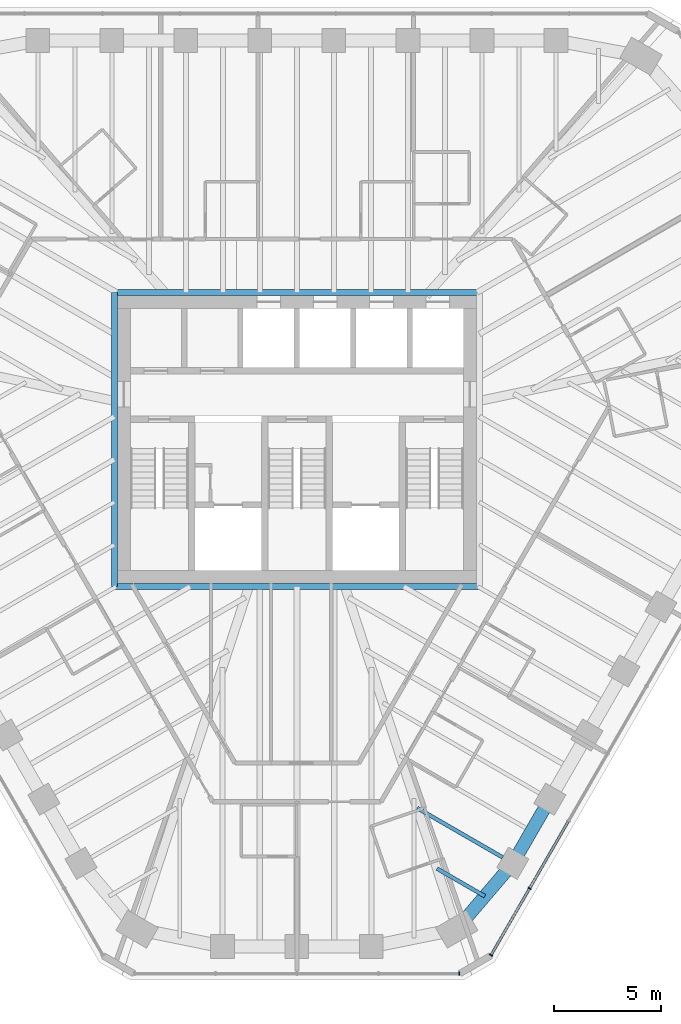
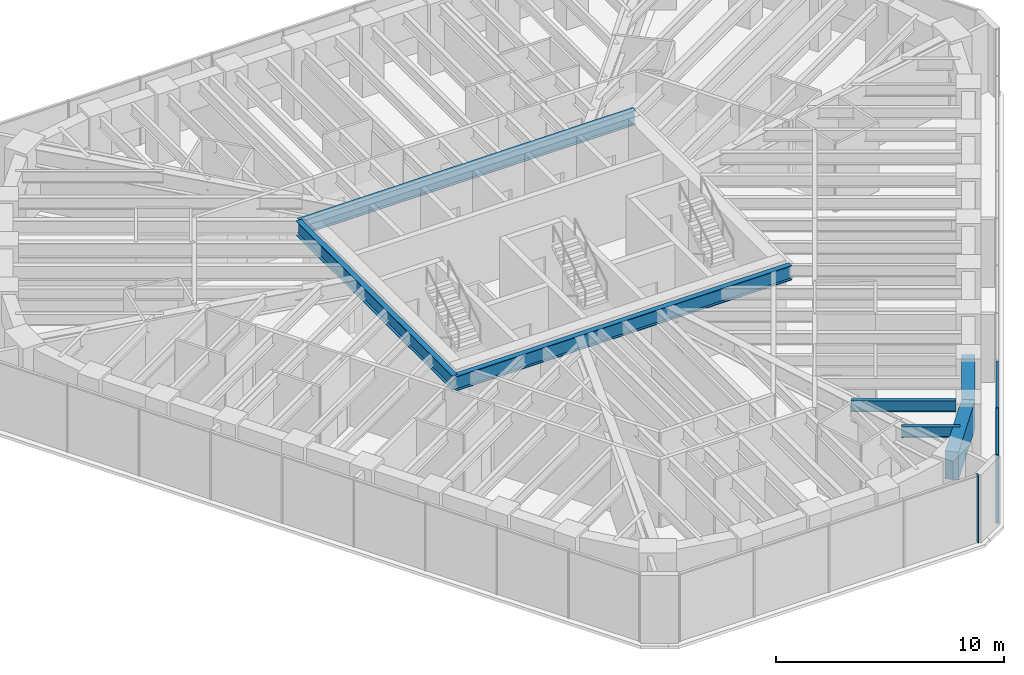
# One storey, part 4 of 14: 7 beams, 5 members, 2 elements without a shape of their own.
"""IFC4 building model written with IfcOpenShell, lengths in metres."""

import ifcopenshell
import ifcopenshell.guid

model = None  # the IFC model being written
_history = None  # IfcOwnerHistory: only IFC2X3 demands one
_inside = {}  # id of a spatial element -> (the spatial element, [elements in it])
_under = {}  # id of a project, library or spatial element -> (it, [spatial elements below it])
_declared = {}  # id of a project -> (the project, [libraries it declares])
_typed = {}  # id of a type object -> (the type object, [elements of that type])
_made_of = {}  # id of a material, layer set ... -> (it, [elements and type objects made of it])


def new_model(schema):
    """Start an empty IFC model of exactly this schema.

    Asked for "IFC4X3", IfcOpenShell would pick the latest addendum, in which some entities
    have other attributes; the version numbers below select the first issue.
    IFC2X3 requires an IfcOwnerHistory on every rooted entity: one is made here for all.
    """
    global model, _history
    if schema == "IFC4X3":
        model = ifcopenshell.file(schema_version=(4, 3, 0, 0))
    else:
        model = ifcopenshell.file(schema=schema)
    _inside.clear()
    _under.clear()
    _declared.clear()
    _typed.clear()
    _made_of.clear()
    _history = None
    if model.schema == "IFC2X3":
        org = make("IfcOrganization", Name="unknown")
        user = make(
            "IfcPersonAndOrganization",
            ThePerson=make("IfcPerson", FamilyName="unknown"),
            TheOrganization=org,
        )
        app = make(
            "IfcApplication",
            ApplicationDeveloper=org,
            Version="unknown",
            ApplicationFullName="unknown",
            ApplicationIdentifier="unknown",
        )
        _history = make(
            "IfcOwnerHistory",
            OwningUser=user,
            OwningApplication=app,
            ChangeAction="ADDED",
            CreationDate=0,
        )
    return model


def make(cls, **values):
    """One entity of the class cls with the attributes given. An attribute that is None is left unset."""
    return model.create_entity(
        cls, **{name: value for name, value in values.items() if value is not None}
    )


def rooted(cls, **values):
    """An entity with a GlobalId (a new one), such as an element, a storey or a relation."""
    return make(cls, GlobalId=ifcopenshell.guid.new(), OwnerHistory=_history, **values)


def si_unit(unit_type, name, prefix=None):
    """IfcSIUnit, for example si_unit("LENGTHUNIT", "METRE", prefix="MILLI")."""
    return make("IfcSIUnit", UnitType=unit_type, Prefix=prefix, Name=name)


def assignment(units):
    """IfcUnitAssignment: the units of a project."""
    return None if units is None else make("IfcUnitAssignment", Units=units)


def point(xyz):
    """IfcCartesianPoint."""
    return None if xyz is None else make("IfcCartesianPoint", Coordinates=xyz)


def direction(xyz):
    """IfcDirection."""
    return None if xyz is None else make("IfcDirection", DirectionRatios=xyz)


def frame(location, z_axis=None, x_axis=None):
    """IfcAxis2Placement3D, a coordinate frame: its origin and axes. An axis left out is left unset."""
    return make(
        "IfcAxis2Placement3D",
        Location=point(location),
        Axis=direction(z_axis),
        RefDirection=direction(x_axis),
    )


def frame_2d(location, x_axis=None):
    """IfcAxis2Placement2D, a coordinate frame in the plane: its origin and x axis."""
    return make(
        "IfcAxis2Placement2D", Location=point(location), RefDirection=direction(x_axis)
    )


def origin():
    """The frame at (0, 0, 0) with its axes left unset."""
    return frame((0.0, 0.0, 0.0))


def origin_2d():
    """The frame at (0, 0) in the plane with its x axis left unset."""
    return frame_2d((0.0, 0.0))


def place(relative_to, where):
    """IfcLocalPlacement: puts the frame where relative to a parent placement (None: the world)."""
    return make(
        "IfcLocalPlacement", PlacementRelTo=relative_to, RelativePlacement=where
    )


def context(
    kind, dimensions, precision=None, world=None, true_north=None, identifier=None
):
    """IfcGeometricRepresentationContext, for example the 3D "Model" context."""
    return make(
        "IfcGeometricRepresentationContext",
        ContextIdentifier=identifier,
        ContextType=kind,
        CoordinateSpaceDimension=dimensions,
        Precision=precision,
        WorldCoordinateSystem=world,
        TrueNorth=true_north,
    )


def subcontext(parent, identifier, kind, view, scale=None):
    """IfcGeometricRepresentationSubContext, for example "Body" below "Model"."""
    return make(
        "IfcGeometricRepresentationSubContext",
        ContextIdentifier=identifier,
        ContextType=kind,
        ParentContext=parent,
        TargetScale=scale,
        TargetView=view,
    )


def project(units=None, contexts=None):
    """IfcProject with its units and contexts."""
    return rooted(
        "IfcProject",
        Name="project",
        RepresentationContexts=contexts,
        UnitsInContext=assignment(units),
    )


def spatial(cls, under=None, at=None, **own):
    """A site, building, storey or space (cls), placed at a placement, below another one or the project."""
    s = rooted(cls, ObjectPlacement=at, **own)
    if under is not None:
        _under.setdefault(under.id(), (under, []))[1].append(s)
    return s


def profile(cls, at=None, kind="AREA", **sizes):
    """A parametric profile (cls). Its sizes go by their IFC names, for example OverallWidth=200.0."""
    return make(cls, ProfileType=kind, Position=at, **sizes)


def rectangle(**sizes):
    """IfcRectangleProfileDef."""
    return profile("IfcRectangleProfileDef", **sizes)


def i_section(**sizes):
    """IfcIShapeProfileDef."""
    return profile("IfcIShapeProfileDef", **sizes)


def extrude(swept, where, along, depth):
    """IfcExtrudedAreaSolid: the profile swept, set in the frame where, extruded along a direction by depth."""
    return make(
        "IfcExtrudedAreaSolid",
        SweptArea=swept,
        Position=where,
        ExtrudedDirection=direction(along),
        Depth=depth,
    )


def shape(context_of_items, identifier, shape_type, items):
    """IfcShapeRepresentation: the items that make up one representation, for example the "Body"."""
    return make(
        "IfcShapeRepresentation",
        ContextOfItems=context_of_items,
        RepresentationIdentifier=identifier,
        RepresentationType=shape_type,
        Items=items,
    )


def material(Name=None, Category=None):
    """IfcMaterial."""
    return make("IfcMaterial", Name=Name, Category=Category)


def material_profile(
    of_material, cross_section, Name=None, Category=None, Priority=None
):
    """IfcMaterialProfile: a cross section and its material."""
    return make(
        "IfcMaterialProfile",
        Name=Name,
        Material=of_material,
        Profile=cross_section,
        Priority=Priority,
        Category=Category,
    )


def profile_set(profiles, Name=None, composite=None):
    """IfcMaterialProfileSet."""
    return make(
        "IfcMaterialProfileSet",
        Name=Name,
        MaterialProfiles=profiles,
        CompositeProfile=composite,
    )


def made_of(thing, what):
    """Note that an element or type object is made of a material, layer set ...; save() writes the relation."""
    if what is not None:
        _made_of.setdefault(what.id(), (what, []))[1].append(thing)
    return thing


def type_object(cls, material=None, **own):
    """A type object (cls), such as IfcWallType, which elements share."""
    return made_of(rooted(cls, **own), material)


def element(
    cls,
    number,
    at=None,
    inside=None,
    cuts=None,
    type_object=None,
    material=None,
    context=None,
    identifier="Body",
    shape_type=None,
    held_by="IfcProductDefinitionShape",
    body=None,
    shapes=None,
    **own,
):
    """One element of the class cls, such as IfcWall. Its Tag is "e" and its number.

    at: its placement. inside: the storey or other place that contains it. cuts: it is an
    opening in that element (IfcRelVoidsElement). A single representation is given by context,
    identifier, shape_type and body (its items); several are given by shapes. held_by: the class
    of the entity that holds the representations. save() writes the other relations.
    """
    e = rooted(cls, Tag="e%d" % number, ObjectPlacement=at, **own)
    if body is not None:
        shapes = [shape(context, identifier, shape_type, body)]
    if shapes is not None:
        e.Representation = make(held_by, Representations=shapes)
    if inside is not None:
        _inside.setdefault(inside.id(), (inside, []))[1].append(e)
    if cuts is not None:
        rooted(
            "IfcRelVoidsElement", RelatingBuildingElement=cuts, RelatedOpeningElement=e
        )
    if type_object is not None:
        _typed.setdefault(type_object.id(), (type_object, []))[1].append(e)
    return made_of(e, material)


def aggregate(whole, parts):
    """IfcRelAggregates: a whole, such as a stair, and the parts it consists of."""
    return rooted("IfcRelAggregates", RelatingObject=whole, RelatedObjects=parts)


def save(model, path):
    """Write the relations noted so far, then the file.

    IfcRelAggregates (storeys below a building ...), IfcRelContainedInSpatialStructure (elements
    in a storey), IfcRelDefinesByType, IfcRelAssociatesMaterial and IfcRelDeclares: one each for
    every whole, place, type object, material and project.
    """
    for whole, parts in _under.values():
        aggregate(whole, parts)
    for where, things in _inside.values():
        rooted(
            "IfcRelContainedInSpatialStructure",
            RelatedElements=things,
            RelatingStructure=where,
        )
    for kind, things in _typed.values():
        rooted("IfcRelDefinesByType", RelatedObjects=things, RelatingType=kind)
    for what, things in _made_of.values():
        rooted("IfcRelAssociatesMaterial", RelatedObjects=things, RelatingMaterial=what)
    for by, libraries in _declared.values():
        rooted("IfcRelDeclares", RelatingContext=by, RelatedDefinitions=libraries)
    model.write(path)


model = new_model("IFC4")

# Units and contexts
model_context = context("Model", 3, precision=1e-05, world=origin(), true_north=direction((0.0, 1.0)))
body_context = subcontext(model_context, "Body", "Model", "MODEL_VIEW")
ifc_project = project(units=[si_unit("LENGTHUNIT", "METRE"), si_unit("AREAUNIT", "SQUARE_METRE"), si_unit("VOLUMEUNIT", "CUBIC_METRE"), si_unit("PLANEANGLEUNIT", "RADIAN"), si_unit("MASSUNIT", "GRAM", prefix="KILO")], contexts=[model_context])

# Site, building, storey
site_placement = place(None, origin())
site = spatial("IfcSite", under=ifc_project, at=site_placement, CompositionType="ELEMENT")
building_placement = place(site_placement, origin())
building = spatial("IfcBuilding", under=site, at=building_placement, Name="Sandreach Pilgrim Tower", CompositionType="ELEMENT")
storey_placement = place(building_placement, frame((0.0, 0.0, 283.60009765625)))
storey = spatial("IfcBuildingStorey", under=building, at=storey_placement, Name="L71", CompositionType="ELEMENT", Elevation=283.60009765625)

# Curtain wall, members
ifc_material_1 = material(Name="Aluminium framed curtain wall", Category="aluminium")
curtain_wall_type = type_object("IfcCurtainWallType", Name="Suite tower curtain wall", PredefinedType="NOTDEFINED", material=ifc_material_1)
curtain_wall_1_placement = place(storey_placement, origin())
curtain_wall_1 = element("IfcCurtainWall", 1, at=curtain_wall_1_placement, inside=storey, type_object=curtain_wall_type, Name="CW-4 L71 SE", PredefinedType="NOTDEFINED")
ifc_material_2 = material(Name="Aluminium extrusion", Category="aluminium")
ifc_material_profile_1 = material_profile(ifc_material_2, rectangle(XDim=0.06005859375, YDim=0.159912109375, at=origin_2d()), Name="CW-4M 60X160")
ifc_profile_set_1 = profile_set([ifc_material_profile_1], Name="Aluminium extrusion")
member_type_1 = type_object("IfcMemberType", Name="CW-4 mullion", PredefinedType="MULLION", material=ifc_profile_set_1)
member_1_placement = place(storey_placement, frame((10.83203125, -20.891357421875, 0.0), z_axis=(0.0, 0.0, 1.0), x_axis=(-0.5, -0.866025403784, 0.0)))
member_1 = element("IfcMember", 2, at=member_1_placement, type_object=member_type_1, Name="CW-4 mullion 9", PredefinedType="MULLION", context=body_context, shape_type="SweptSolid", body=[
    extrude(rectangle(XDim=0.06005859375, YDim=0.159912109375, at=origin_2d()), origin(), (0.0, 0.0, 1.0), 3.639892578125),
])
member_2_placement = place(storey_placement, frame((9.035888671875, -24.001953125, 0.0), z_axis=(0.0, 0.0, 1.0), x_axis=(-0.5, -0.866025403784, 0.0)))
member_2 = element("IfcMember", 3, at=member_2_placement, type_object=member_type_1, Name="CW-4 mullion 10", PredefinedType="MULLION", context=body_context, shape_type="SweptSolid", body=[
    extrude(rectangle(XDim=0.06005859375, YDim=0.159912109375, at=origin_2d()), origin(), (0.0, 0.0, 1.0), 3.639892578125),
])

# Curtain wall, member
curtain_wall_2_placement = place(storey_placement, origin())
curtain_wall_2 = element("IfcCurtainWall", 4, at=curtain_wall_2_placement, inside=storey, type_object=curtain_wall_type, Name="CW-4 L71 S", PredefinedType="NOTDEFINED")
member_3_placement = place(storey_placement, frame((7.553466796875, -24.858154296875, 0.0), z_axis=(0.0, 0.0, 1.0), x_axis=(-1.0, 0.0, 0.0)))
member_3 = element("IfcMember", 5, at=member_3_placement, type_object=member_type_1, Name="CW-4 mullion 1", PredefinedType="MULLION", context=body_context, shape_type="SweptSolid", body=[
    extrude(rectangle(XDim=0.06005859375, YDim=0.159912109375, at=origin_2d()), origin(), (0.0, 0.0, 1.0), 3.639892578125),
])
aggregate(curtain_wall_2, [member_3])

# Member
ifc_material_3 = material(Name="Aluminium extrusion", Category="aluminium")
ifc_material_profile_2 = material_profile(ifc_material_3, rectangle(XDim=0.1201171875, YDim=0.070068359375, at=origin_2d()), Name="CW-4T 120X70")
ifc_profile_set_2 = profile_set([ifc_material_profile_2], Name="Aluminium extrusion")
member_type_2 = type_object("IfcMemberType", Name="CW-4 transom", PredefinedType="USERDEFINED", material=ifc_profile_set_2)
member_4_placement = place(storey_placement, frame((12.6279296875, -17.78076171875, 3.60498046875), z_axis=(-0.500009219579, -0.866020080793, 0.0), x_axis=(0.866020080793, -0.500009219579, 0.0)))
member_4 = element("IfcMember", 6, at=member_4_placement, type_object=member_type_2, Name="CW-4 head transom 8", ObjectType="TRANSOM", PredefinedType="USERDEFINED", context=body_context, shape_type="SweptSolid", body=[
    extrude(rectangle(XDim=0.1201171875, YDim=0.070068359375, at=origin_2d()), origin(), (0.0, 0.0, 1.0), 3.56201171875),
])

member_5_placement = place(storey_placement, frame((10.81689453125, -20.91748046875, 3.60498046875), z_axis=(-0.499997709859, -0.866026725994, 0.0), x_axis=(0.866026725994, -0.499997709859, 0.0)))
member_5 = element("IfcMember", 7, at=member_5_placement, type_object=member_type_2, Name="CW-4 head transom 9", ObjectType="TRANSOM", PredefinedType="USERDEFINED", context=body_context, shape_type="SweptSolid", body=[
    extrude(rectangle(XDim=0.1201171875, YDim=0.070068359375, at=origin_2d()), origin(), (0.0, 0.0, 1.0), 3.53173828125),
])

aggregate(curtain_wall_1, [member_1, member_2, member_4, member_5])

# Beams
ifc_material_4 = material(Name="Steel ASTM A992 Grade 50", Category="steel")
ifc_material_profile_3 = material_profile(ifc_material_4, i_section(OverallWidth=0.2666015625, OverallDepth=0.77978515625, WebThickness=0.0166015625, FlangeThickness=0.030029296875, at=origin_2d()), Name="W30X148")
ifc_profile_set_3 = profile_set([ifc_material_profile_3], Name="Steel ASTM A992 Grade 50")
beam_type_1 = type_object("IfcBeamType", Name="Core edge beam W30X148", PredefinedType="BEAM", material=ifc_profile_set_3)
for number, where, z_axis, x_axis, name in (
    (8, (-8.493408203125, 6.84326171875, 3.25), (1.0, 0.0, 0.0), (0.0, 1.0, 0.0), "BM L71 CEN"),
    (9, (8.493408203125, -6.84326171875, 3.25), (-1.0, 0.0, 0.0), (0.0, -1.0, 0.0), "BM L71 CES"),
):
    element("IfcBeam", number, at=place(storey_placement, frame(where, z_axis=z_axis, x_axis=x_axis)), inside=storey, type_object=beam_type_1, Name=name, PredefinedType="BEAM", context=body_context, shape_type="SweptSolid", body=[
        extrude(i_section(OverallWidth=0.2666015625, OverallDepth=0.77978515625, WebThickness=0.0166015625, FlangeThickness=0.030029296875, at=origin_2d()), origin(), (0.0, 0.0, 1.0), 16.98681640625),
    ])
beam_1_placement = place(storey_placement, frame((-8.493408203125, -6.84326171875, 3.25), z_axis=(0.0, 1.0, 0.0), x_axis=(-1.0, 0.0, 0.0)))
element("IfcBeam", 10, at=beam_1_placement, inside=storey, type_object=beam_type_1, Name="BM L71 CEW", PredefinedType="BEAM", context=body_context, shape_type="SweptSolid", body=[
    extrude(i_section(OverallWidth=0.2666015625, OverallDepth=0.77978515625, WebThickness=0.0166015625, FlangeThickness=0.030029296875, at=origin_2d()), origin(), (0.0, 0.0, 1.0), 13.6865234375),
])
ifc_material_5 = material(Name="Steel ASTM A992 Grade 50", Category="steel")
ifc_material_profile_4 = material_profile(ifc_material_5, i_section(OverallWidth=0.1787109375, OverallDepth=0.60205078125, WebThickness=0.010986328125, FlangeThickness=0.014892578125, at=origin_2d()), Name="W24X62")
ifc_profile_set_4 = profile_set([ifc_material_profile_4], Name="Steel ASTM A992 Grade 50")
beam_type_2 = type_object("IfcBeamType", Name="Floor beam W24X62", PredefinedType="BEAM", material=ifc_profile_set_4)
beam_2_placement = place(storey_placement, frame((9.573974609375, -19.450439453125, 3.3388671875), z_axis=(-0.866024320471, 0.50000187635, 0.0), x_axis=(-0.50000187635, -0.866024320471, 0.0)))
element("IfcBeam", 11, at=beam_2_placement, inside=storey, type_object=beam_type_2, Name="BM L71 F21", PredefinedType="BEAM", context=body_context, shape_type="SweptSolid", body=[
    extrude(i_section(OverallWidth=0.1787109375, OverallDepth=0.60205078125, WebThickness=0.010986328125, FlangeThickness=0.014892578125, at=origin_2d()), origin(), (0.0, 0.0, 1.0), 4.58837890625),
])
beam_3_placement = place(storey_placement, frame((8.74462890625, -21.25732421875, 3.3388671875), z_axis=(-0.866041575714, 0.49997198835, 0.0), x_axis=(-0.49997198835, -0.866041575714, 0.0)))
element("IfcBeam", 12, at=beam_3_placement, inside=storey, type_object=beam_type_2, Name="BM L71 FM21", PredefinedType="BEAM", context=body_context, shape_type="SweptSolid", body=[
    extrude(i_section(OverallWidth=0.1787109375, OverallDepth=0.60205078125, WebThickness=0.010986328125, FlangeThickness=0.014892578125, at=origin_2d()), origin(), (0.0, 0.0, 1.0), 2.569091796875),
])
ifc_material_6 = material(Name="Concrete 10000 psi", Category="concrete")
ifc_material_profile_5 = material_profile(ifc_material_6, rectangle(XDim=0.60009765625, YDim=1.5, at=origin_2d()), Name="RC600X1500")
ifc_profile_set_5 = profile_set([ifc_material_profile_5], Name="Concrete 10000 psi")
beam_type_3 = type_object("IfcBeamType", Name="Spandrel beam RC600X1500", PredefinedType="SPANDREL", material=ifc_profile_set_5)
beam_4_placement = place(storey_placement, frame((11.772705078125, -16.741943359375, 2.889892578125), z_axis=(-0.499988291006, -0.866032163869, 0.0), x_axis=(0.866032163869, -0.499988291006, 0.0)))
element("IfcBeam", 13, at=beam_4_placement, inside=storey, type_object=beam_type_3, Name="BM L71 SP20", PredefinedType="SPANDREL", context=body_context, shape_type="SweptSolid", body=[
    extrude(rectangle(XDim=0.60009765625, YDim=1.5, at=origin_2d()), origin(), (0.0, 0.0, 1.0), 3.44482421875),
])
beam_5_placement = place(storey_placement, frame((10.05029296875, -19.725341796875, 2.889892578125), z_axis=(-0.648586192707, -0.761141215958, 0.0), x_axis=(0.761141215958, -0.648586192707, 0.0)))
element("IfcBeam", 14, at=beam_5_placement, inside=storey, type_object=beam_type_3, Name="BM L71 SP21", PredefinedType="SPANDREL", context=body_context, shape_type="SweptSolid", body=[
    extrude(rectangle(XDim=0.60009765625, YDim=1.5, at=origin_2d()), origin(), (0.0, 0.0, 1.0), 4.02587890625),
])

save(model, "model.ifc")
